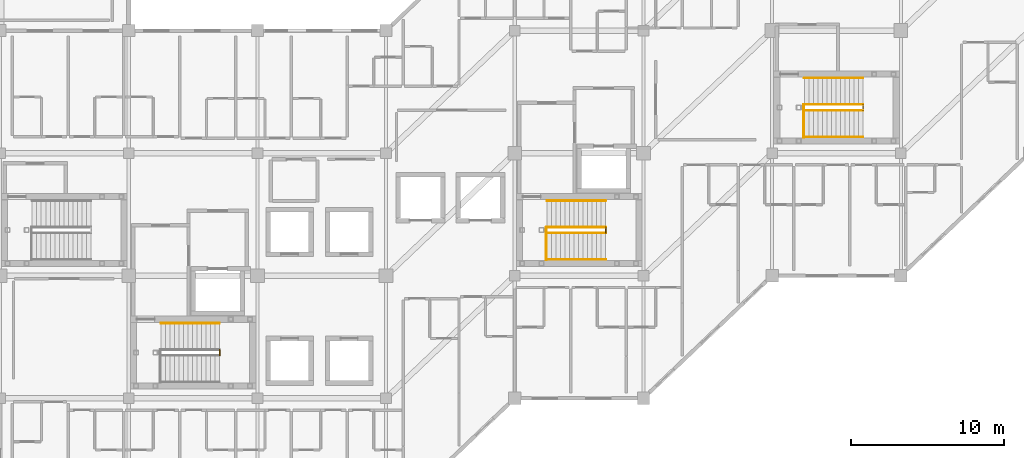
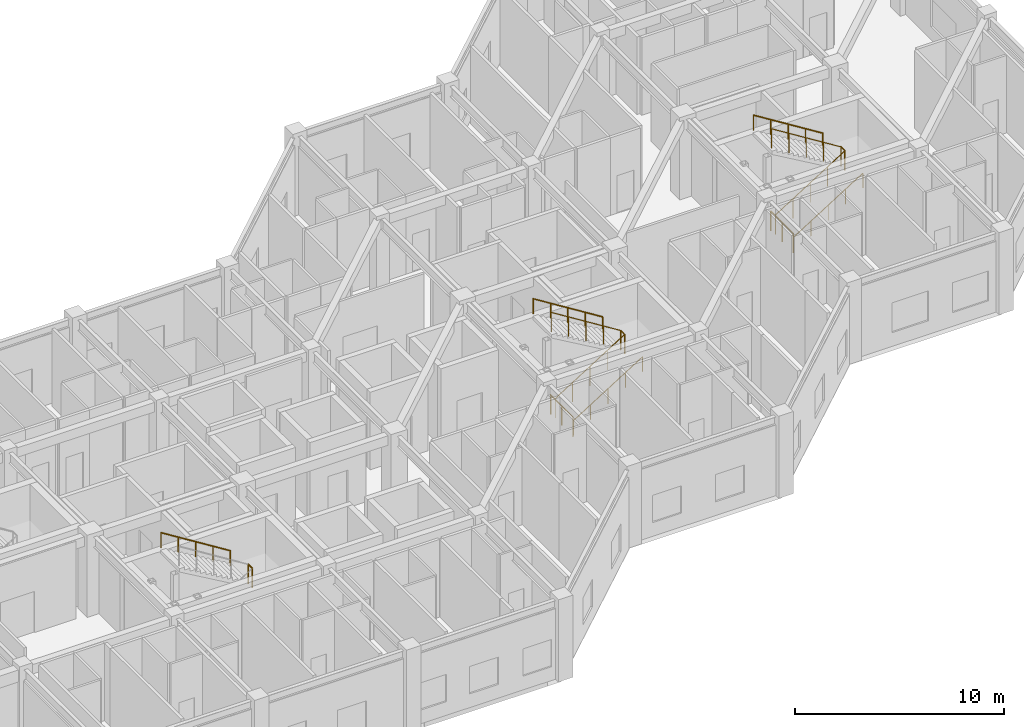
# One storey, part 76 of 76: 14 railings.
"""IFC4 building model written with IfcOpenShell, lengths in metres."""

from ifc_helpers import new_model, si_unit, direction, frame, origin, origin_2d, place, context, subcontext, project, spatial, circle, extrude, material, layer, layer_set, type_object, element, save


model = new_model("IFC4")

# Units and contexts
model_context = context("Model", 3, precision=1e-05, world=origin(), true_north=direction((0.0, 1.0)))
body_context = subcontext(model_context, "Body", "Model", "MODEL_VIEW")
ifc_project = project(units=[si_unit("LENGTHUNIT", "METRE"), si_unit("AREAUNIT", "SQUARE_METRE"), si_unit("VOLUMEUNIT", "CUBIC_METRE"), si_unit("PLANEANGLEUNIT", "RADIAN"), si_unit("MASSUNIT", "GRAM", prefix="KILO")], contexts=[model_context])

# Site, building, storey
site_placement = place(None, origin())
site = spatial("IfcSite", under=ifc_project, at=site_placement, CompositionType="ELEMENT")
building_placement = place(site_placement, origin())
building = spatial("IfcBuilding", under=site, at=building_placement, Name="Naruveol Harbour Congress Hotel", CompositionType="ELEMENT")
storey_placement = place(building_placement, frame((0.0, 0.0, 11.39990234375)))
storey = spatial("IfcBuildingStorey", under=building, at=storey_placement, Name="L02", CompositionType="ELEMENT", Elevation=11.39990234375)

# Railings
ifc_material_1 = material(Name="Stainless Steel 304", Category="steel")
ifc_layer_1 = layer(ifc_material_1, 0.0419921875)
ifc_layer_set_1 = layer_set([ifc_layer_1], Name="Stainless Steel 304")
railing_type_1 = type_object("IfcRailingType", Name="STAIR WALL MOUNTED HANDRAIL 900", PredefinedType="HANDRAIL", material=ifc_layer_set_1)
railing_1_placement = place(storey_placement, frame((131.93505859375, 12.89990234375, 2.400146484375)))
element("IfcRailing", 1, at=railing_1_placement, inside=storey, type_object=railing_type_1, Name="Stair ST1 L02 upper wall handrail", PredefinedType="HANDRAIL", context=body_context, shape_type="SweptSolid", body=[
    extrude(circle(Radius=0.02392578125, at=origin_2d()), frame((0.0, 0.0, 0.8759765625), z_axis=(-0.847694986538, 0.0, 0.530483939246), x_axis=(0.0, -1.0, 0.0)), (0.0, 0.0, 1.0), 4.52392578125),
    extrude(circle(Radius=0.02099609375, at=origin_2d()), origin(), (0.0, 0.0, 1.0), 0.851806640625),
    extrude(circle(Radius=0.02099609375, at=origin_2d()), frame((-0.958740234375, 0.0, 0.60009765625)), (0.0, 0.0, 1.0), 0.851806640625),
    extrude(circle(Radius=0.02099609375, at=origin_2d()), frame((-1.91748046875, 0.0, 1.199951171875)), (0.0, 0.0, 1.0), 0.851806640625),
    extrude(circle(Radius=0.02099609375, at=origin_2d()), frame((-2.876220703125, 0.0, 1.7998046875)), (0.0, 0.0, 1.0), 0.851806640625),
    extrude(circle(Radius=0.02099609375, at=origin_2d()), frame((-3.8349609375, 0.0, 2.39990234375)), (0.0, 0.0, 1.0), 0.851806640625),
])
railing_2_placement = place(storey_placement, frame((153.300048828125, 17.06005859375, 0.0)))
element("IfcRailing", 2, at=railing_2_placement, inside=storey, type_object=railing_type_1, Name="Stair ST2 L02 lower wall handrail", PredefinedType="HANDRAIL", context=body_context, shape_type="SweptSolid", body=[
    extrude(circle(Radius=0.02392578125, at=origin_2d()), frame((0.0, 0.0, 0.8759765625), z_axis=(0.847670718537, 0.0, 0.530522716701), x_axis=(0.0, 1.0, 0.0)), (0.0, 0.0, 1.0), 4.524169921875),
    extrude(circle(Radius=0.02099609375, at=origin_2d()), origin(), (0.0, 0.0, 1.0), 0.851806640625),
    extrude(circle(Radius=0.02099609375, at=origin_2d()), frame((0.958740234375, 0.0, 0.60009765625)), (0.0, 0.0, 1.0), 0.851806640625),
    extrude(circle(Radius=0.02099609375, at=origin_2d()), frame((1.91748046875, 0.0, 1.2001953125)), (0.0, 0.0, 1.0), 0.851806640625),
    extrude(circle(Radius=0.02099609375, at=origin_2d()), frame((2.876220703125, 0.0, 1.800048828125)), (0.0, 0.0, 1.0), 0.851806640625),
    extrude(circle(Radius=0.02099609375, at=origin_2d()), frame((3.8349609375, 0.0, 2.400146484375)), (0.0, 0.0, 1.0), 0.851806640625),
])
railing_3_placement = place(storey_placement, frame((157.135009765625, 20.89990234375, 2.400146484375)))
element("IfcRailing", 3, at=railing_3_placement, inside=storey, type_object=railing_type_1, Name="Stair ST2 L02 upper wall handrail", PredefinedType="HANDRAIL", context=body_context, shape_type="SweptSolid", body=[
    extrude(circle(Radius=0.02392578125, at=origin_2d()), frame((0.0, 0.0, 0.8759765625), z_axis=(-0.847694986538, 0.0, 0.530483939246), x_axis=(0.0, -1.0, 0.0)), (0.0, 0.0, 1.0), 4.52392578125),
    extrude(circle(Radius=0.02099609375, at=origin_2d()), origin(), (0.0, 0.0, 1.0), 0.851806640625),
    extrude(circle(Radius=0.02099609375, at=origin_2d()), frame((-0.958740234375, 0.0, 0.60009765625)), (0.0, 0.0, 1.0), 0.851806640625),
    extrude(circle(Radius=0.02099609375, at=origin_2d()), frame((-1.91748046875, 0.0, 1.199951171875)), (0.0, 0.0, 1.0), 0.851806640625),
    extrude(circle(Radius=0.02099609375, at=origin_2d()), frame((-2.876220703125, 0.0, 1.7998046875)), (0.0, 0.0, 1.0), 0.851806640625),
    extrude(circle(Radius=0.02099609375, at=origin_2d()), frame((-3.8349609375, 0.0, 2.39990234375)), (0.0, 0.0, 1.0), 0.851806640625),
])
railing_4_placement = place(storey_placement, frame((170.10009765625, 25.06005859375, 0.0)))
element("IfcRailing", 4, at=railing_4_placement, inside=storey, type_object=railing_type_1, Name="Stair ST4 L02 lower wall handrail", PredefinedType="HANDRAIL", context=body_context, shape_type="SweptSolid", body=[
    extrude(circle(Radius=0.02392578125, at=origin_2d()), frame((0.0, 0.0, 0.8759765625), z_axis=(0.847670718537, 0.0, 0.530522716701), x_axis=(0.0, 1.0, 0.0)), (0.0, 0.0, 1.0), 4.524169921875),
    extrude(circle(Radius=0.02099609375, at=origin_2d()), origin(), (0.0, 0.0, 1.0), 0.851806640625),
    extrude(circle(Radius=0.02099609375, at=origin_2d()), frame((0.958740234375, 0.0, 0.60009765625)), (0.0, 0.0, 1.0), 0.851806640625),
    extrude(circle(Radius=0.02099609375, at=origin_2d()), frame((1.91748046875, 0.0, 1.2001953125)), (0.0, 0.0, 1.0), 0.851806640625),
    extrude(circle(Radius=0.02099609375, at=origin_2d()), frame((2.876220703125, 0.0, 1.800048828125)), (0.0, 0.0, 1.0), 0.851806640625),
    extrude(circle(Radius=0.02099609375, at=origin_2d()), frame((3.8349609375, 0.0, 2.400146484375)), (0.0, 0.0, 1.0), 0.851806640625),
])
railing_5_placement = place(storey_placement, frame((173.93505859375, 28.89990234375, 2.400146484375)))
element("IfcRailing", 5, at=railing_5_placement, inside=storey, type_object=railing_type_1, Name="Stair ST4 L02 upper wall handrail", PredefinedType="HANDRAIL", context=body_context, shape_type="SweptSolid", body=[
    extrude(circle(Radius=0.02392578125, at=origin_2d()), frame((0.0, 0.0, 0.8759765625), z_axis=(-0.847694986538, 0.0, 0.530483939246), x_axis=(0.0, -1.0, 0.0)), (0.0, 0.0, 1.0), 4.52392578125),
    extrude(circle(Radius=0.02099609375, at=origin_2d()), origin(), (0.0, 0.0, 1.0), 0.851806640625),
    extrude(circle(Radius=0.02099609375, at=origin_2d()), frame((-0.958740234375, 0.0, 0.60009765625)), (0.0, 0.0, 1.0), 0.851806640625),
    extrude(circle(Radius=0.02099609375, at=origin_2d()), frame((-1.91748046875, 0.0, 1.199951171875)), (0.0, 0.0, 1.0), 0.851806640625),
    extrude(circle(Radius=0.02099609375, at=origin_2d()), frame((-2.876220703125, 0.0, 1.7998046875)), (0.0, 0.0, 1.0), 0.851806640625),
    extrude(circle(Radius=0.02099609375, at=origin_2d()), frame((-3.8349609375, 0.0, 2.39990234375)), (0.0, 0.0, 1.0), 0.851806640625),
])
ifc_material_2 = material(Name="Steel SN490", Category="steel")
ifc_layer_2 = layer(ifc_material_2, 0.044921875)
ifc_layer_set_2 = layer_set([ifc_layer_2], Name="Steel SN490")
railing_type_2 = type_object("IfcRailingType", Name="STAIRWELL STEEL GUARDRAIL 1150", PredefinedType="GUARDRAIL", material=ifc_layer_set_2)
railing_6_placement = place(storey_placement, frame((131.93505859375, 10.7900390625, 2.400146484375)))
element("IfcRailing", 6, at=railing_6_placement, inside=storey, type_object=railing_type_2, Name="Stair ST1 L02 half-landing slot guard", PredefinedType="GUARDRAIL", context=body_context, shape_type="SweptSolid", body=[
    extrude(circle(Radius=0.02392578125, at=origin_2d()), frame((0.0, 0.0, 1.1259765625), z_axis=(0.0, 1.0, 0.0), x_axis=(-1.0, 0.0, 0.0)), (0.0, 0.0, 1.0), 0.3798828125),
    extrude(circle(Radius=0.02099609375, at=origin_2d()), origin(), (0.0, 0.0, 1.0), 1.101806640625),
    extrude(circle(Radius=0.02099609375, at=origin_2d()), frame((0.0, 0.3798828125, 0.0)), (0.0, 0.0, 1.0), 1.101806640625),
])
railing_7_placement = place(storey_placement, frame((153.300048828125, 18.7900390625, 0.0)))
element("IfcRailing", 7, at=railing_7_placement, inside=storey, type_object=railing_type_2, Name="Stair ST2 L02 lower well guard", PredefinedType="GUARDRAIL", context=body_context, shape_type="SweptSolid", body=[
    extrude(circle(Radius=0.02392578125, at=origin_2d()), frame((0.0, 0.0, 1.1259765625), z_axis=(0.847670718537, 0.0, 0.530522716701), x_axis=(0.0, 1.0, 0.0)), (0.0, 0.0, 1.0), 4.524169921875),
    extrude(circle(Radius=0.02099609375, at=origin_2d()), origin(), (0.0, 0.0, 1.0), 1.101806640625),
    extrude(circle(Radius=0.02099609375, at=origin_2d()), frame((0.958740234375, 0.0, 0.60009765625)), (0.0, 0.0, 1.0), 1.101806640625),
    extrude(circle(Radius=0.02099609375, at=origin_2d()), frame((1.91748046875, 0.0, 1.2001953125)), (0.0, 0.0, 1.0), 1.101806640625),
    extrude(circle(Radius=0.02099609375, at=origin_2d()), frame((2.876220703125, 0.0, 1.800048828125)), (0.0, 0.0, 1.0), 1.101806640625),
    extrude(circle(Radius=0.02099609375, at=origin_2d()), frame((3.8349609375, 0.0, 2.400146484375)), (0.0, 0.0, 1.0), 1.101806640625),
])
railing_8_placement = place(storey_placement, frame((157.135009765625, 18.7900390625, 2.400146484375)))
element("IfcRailing", 8, at=railing_8_placement, inside=storey, type_object=railing_type_2, Name="Stair ST2 L02 half-landing slot guard", PredefinedType="GUARDRAIL", context=body_context, shape_type="SweptSolid", body=[
    extrude(circle(Radius=0.02392578125, at=origin_2d()), frame((0.0, 0.0, 1.1259765625), z_axis=(0.0, 1.0, 0.0), x_axis=(-1.0, 0.0, 0.0)), (0.0, 0.0, 1.0), 0.3798828125),
    extrude(circle(Radius=0.02099609375, at=origin_2d()), origin(), (0.0, 0.0, 1.0), 1.101806640625),
    extrude(circle(Radius=0.02099609375, at=origin_2d()), frame((0.0, 0.3798828125, 0.0)), (0.0, 0.0, 1.0), 1.101806640625),
])
railing_9_placement = place(storey_placement, frame((157.135009765625, 19.169921875, 2.400146484375)))
element("IfcRailing", 9, at=railing_9_placement, inside=storey, type_object=railing_type_2, Name="Stair ST2 L02 upper well guard", PredefinedType="GUARDRAIL", context=body_context, shape_type="SweptSolid", body=[
    extrude(circle(Radius=0.02392578125, at=origin_2d()), frame((0.0, 0.0, 1.1259765625), z_axis=(-0.847694986538, 0.0, 0.530483939246), x_axis=(0.0, -1.0, 0.0)), (0.0, 0.0, 1.0), 4.52392578125),
    extrude(circle(Radius=0.02099609375, at=origin_2d()), origin(), (0.0, 0.0, 1.0), 1.101806640625),
    extrude(circle(Radius=0.02099609375, at=origin_2d()), frame((-0.958740234375, 0.0, 0.60009765625)), (0.0, 0.0, 1.0), 1.101806640625),
    extrude(circle(Radius=0.02099609375, at=origin_2d()), frame((-1.91748046875, 0.0, 1.199951171875)), (0.0, 0.0, 1.0), 1.101806640625),
    extrude(circle(Radius=0.02099609375, at=origin_2d()), frame((-2.876220703125, 0.0, 1.7998046875)), (0.0, 0.0, 1.0), 1.101806640625),
    extrude(circle(Radius=0.02099609375, at=origin_2d()), frame((-3.8349609375, 0.0, 2.39990234375)), (0.0, 0.0, 1.0), 1.101806640625),
])
railing_10_placement = place(storey_placement, frame((153.260009765625, 17.02001953125, 0.0)))
element("IfcRailing", 10, at=railing_10_placement, inside=storey, type_object=railing_type_2, Name="Stair ST2 L02 landing well guard", PredefinedType="GUARDRAIL", context=body_context, shape_type="SweptSolid", body=[
    extrude(circle(Radius=0.02392578125, at=origin_2d()), frame((0.0, 0.0, 1.1259765625), z_axis=(0.0, 1.0, 0.0), x_axis=(-1.0, 0.0, 0.0)), (0.0, 0.0, 1.0), 2.14990234375),
    extrude(circle(Radius=0.02099609375, at=origin_2d()), origin(), (0.0, 0.0, 1.0), 1.101806640625),
    extrude(circle(Radius=0.02099609375, at=origin_2d()), frame((0.0, 1.074951171875, 0.0)), (0.0, 0.0, 1.0), 1.101806640625),
    extrude(circle(Radius=0.02099609375, at=origin_2d()), frame((0.0, 2.14990234375, 0.0)), (0.0, 0.0, 1.0), 1.101806640625),
])
railing_11_placement = place(storey_placement, frame((170.10009765625, 26.7900390625, 0.0)))
element("IfcRailing", 11, at=railing_11_placement, inside=storey, type_object=railing_type_2, Name="Stair ST4 L02 lower well guard", PredefinedType="GUARDRAIL", context=body_context, shape_type="SweptSolid", body=[
    extrude(circle(Radius=0.02392578125, at=origin_2d()), frame((0.0, 0.0, 1.1259765625), z_axis=(0.847670718537, 0.0, 0.530522716701), x_axis=(0.0, 1.0, 0.0)), (0.0, 0.0, 1.0), 4.524169921875),
    extrude(circle(Radius=0.02099609375, at=origin_2d()), origin(), (0.0, 0.0, 1.0), 1.101806640625),
    extrude(circle(Radius=0.02099609375, at=origin_2d()), frame((0.958740234375, 0.0, 0.60009765625)), (0.0, 0.0, 1.0), 1.101806640625),
    extrude(circle(Radius=0.02099609375, at=origin_2d()), frame((1.91748046875, 0.0, 1.2001953125)), (0.0, 0.0, 1.0), 1.101806640625),
    extrude(circle(Radius=0.02099609375, at=origin_2d()), frame((2.876220703125, 0.0, 1.800048828125)), (0.0, 0.0, 1.0), 1.101806640625),
    extrude(circle(Radius=0.02099609375, at=origin_2d()), frame((3.8349609375, 0.0, 2.400146484375)), (0.0, 0.0, 1.0), 1.101806640625),
])
railing_12_placement = place(storey_placement, frame((173.93505859375, 26.7900390625, 2.400146484375)))
element("IfcRailing", 12, at=railing_12_placement, inside=storey, type_object=railing_type_2, Name="Stair ST4 L02 half-landing slot guard", PredefinedType="GUARDRAIL", context=body_context, shape_type="SweptSolid", body=[
    extrude(circle(Radius=0.02392578125, at=origin_2d()), frame((0.0, 0.0, 1.1259765625), z_axis=(0.0, 1.0, 0.0), x_axis=(-1.0, 0.0, 0.0)), (0.0, 0.0, 1.0), 0.3798828125),
    extrude(circle(Radius=0.02099609375, at=origin_2d()), origin(), (0.0, 0.0, 1.0), 1.101806640625),
    extrude(circle(Radius=0.02099609375, at=origin_2d()), frame((0.0, 0.3798828125, 0.0)), (0.0, 0.0, 1.0), 1.101806640625),
])
railing_13_placement = place(storey_placement, frame((173.93505859375, 27.169921875, 2.400146484375)))
element("IfcRailing", 13, at=railing_13_placement, inside=storey, type_object=railing_type_2, Name="Stair ST4 L02 upper well guard", PredefinedType="GUARDRAIL", context=body_context, shape_type="SweptSolid", body=[
    extrude(circle(Radius=0.02392578125, at=origin_2d()), frame((0.0, 0.0, 1.1259765625), z_axis=(-0.847694986538, 0.0, 0.530483939246), x_axis=(0.0, -1.0, 0.0)), (0.0, 0.0, 1.0), 4.52392578125),
    extrude(circle(Radius=0.02099609375, at=origin_2d()), origin(), (0.0, 0.0, 1.0), 1.101806640625),
    extrude(circle(Radius=0.02099609375, at=origin_2d()), frame((-0.958740234375, 0.0, 0.60009765625)), (0.0, 0.0, 1.0), 1.101806640625),
    extrude(circle(Radius=0.02099609375, at=origin_2d()), frame((-1.91748046875, 0.0, 1.199951171875)), (0.0, 0.0, 1.0), 1.101806640625),
    extrude(circle(Radius=0.02099609375, at=origin_2d()), frame((-2.876220703125, 0.0, 1.7998046875)), (0.0, 0.0, 1.0), 1.101806640625),
    extrude(circle(Radius=0.02099609375, at=origin_2d()), frame((-3.8349609375, 0.0, 2.39990234375)), (0.0, 0.0, 1.0), 1.101806640625),
])
railing_14_placement = place(storey_placement, frame((170.06005859375, 25.02001953125, 0.0)))
element("IfcRailing", 14, at=railing_14_placement, inside=storey, type_object=railing_type_2, Name="Stair ST4 L02 landing well guard", PredefinedType="GUARDRAIL", context=body_context, shape_type="SweptSolid", body=[
    extrude(circle(Radius=0.02392578125, at=origin_2d()), frame((0.0, 0.0, 1.1259765625), z_axis=(0.0, 1.0, 0.0), x_axis=(-1.0, 0.0, 0.0)), (0.0, 0.0, 1.0), 2.14990234375),
    extrude(circle(Radius=0.02099609375, at=origin_2d()), origin(), (0.0, 0.0, 1.0), 1.101806640625),
    extrude(circle(Radius=0.02099609375, at=origin_2d()), frame((0.0, 1.074951171875, 0.0)), (0.0, 0.0, 1.0), 1.101806640625),
    extrude(circle(Radius=0.02099609375, at=origin_2d()), frame((0.0, 2.14990234375, 0.0)), (0.0, 0.0, 1.0), 1.101806640625),
])

save(model, "model.ifc")
